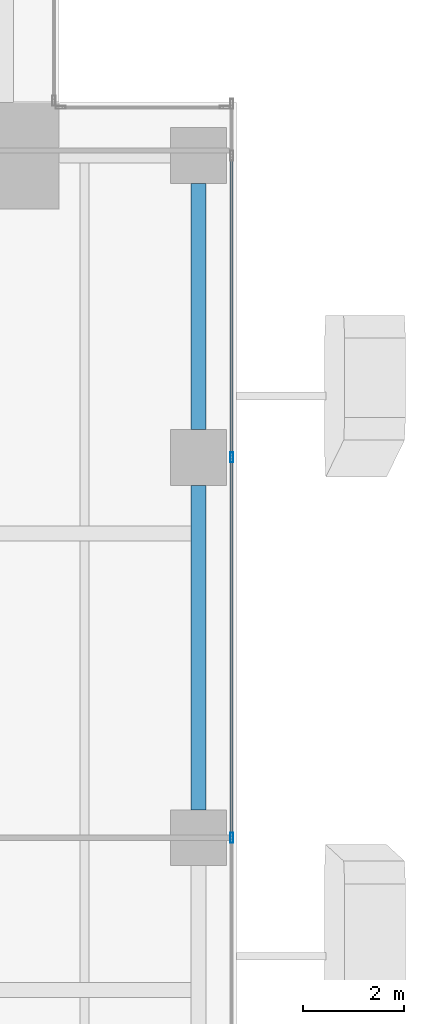
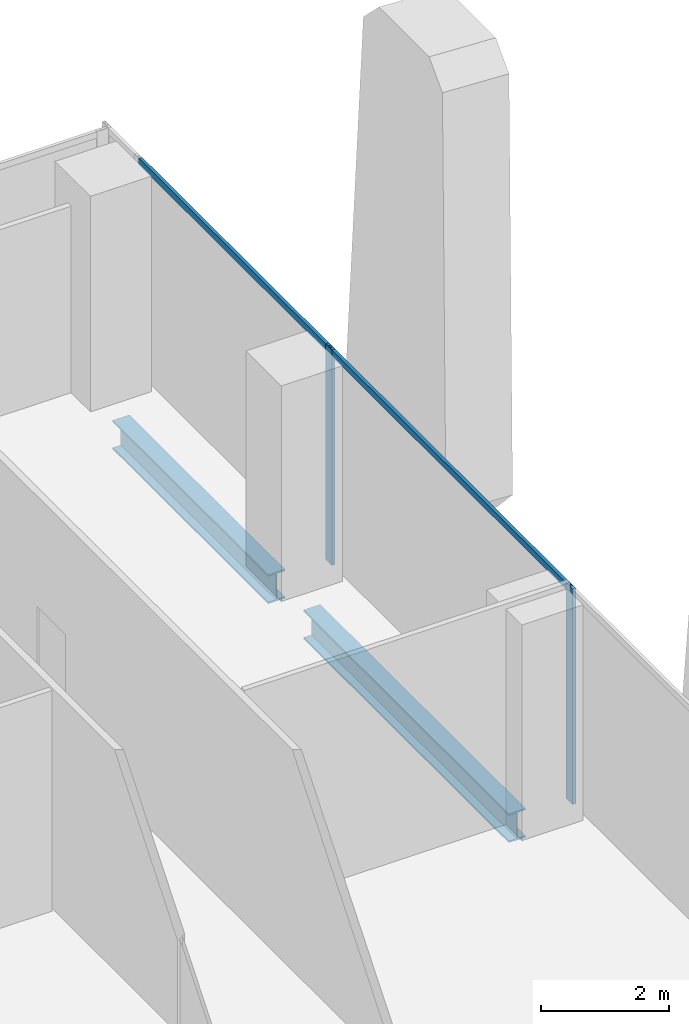
# One storey, part 19 of 35: 4 members, 2 beams, 1 element without a shape of its own.
"""IFC4 building model written with IfcOpenShell, lengths in metres."""

from ifc_helpers import new_model, si_unit, direction, frame, origin, origin_2d, place, context, subcontext, project, spatial, hollow_rectangle, i_section, extrude, source, transform, mapped, material, material_profile, profile_set, type_object, element, aggregate, save


model = new_model("IFC4")

# Units and contexts
model_context = context("Model", 3, precision=1e-05, world=origin(), true_north=direction((0.0, 1.0)))
body_context = subcontext(model_context, "Body", "Model", "MODEL_VIEW")
ifc_project = project(units=[si_unit("LENGTHUNIT", "METRE"), si_unit("AREAUNIT", "SQUARE_METRE"), si_unit("VOLUMEUNIT", "CUBIC_METRE"), si_unit("PLANEANGLEUNIT", "RADIAN"), si_unit("MASSUNIT", "GRAM", prefix="KILO")], contexts=[model_context])

# Site, building, storey
site_placement = place(None, origin())
site = spatial("IfcSite", under=ifc_project, at=site_placement, CompositionType="ELEMENT")
building_placement = place(site_placement, origin())
building = spatial("IfcBuilding", under=site, at=building_placement, Name="Khomas Fold Tower", CompositionType="ELEMENT")
storey_placement = place(building_placement, frame((0.0, 0.0, 119.10009765625)))
storey = spatial("IfcBuildingStorey", under=building, at=storey_placement, Name="L25", CompositionType="ELEMENT", Elevation=119.10009765625)

# Beams
ifc_material_1 = material(Name="Steel S355", Category="steel")
ifc_material_profile_1 = material_profile(ifc_material_1, i_section(OverallWidth=0.300048828125, OverallDepth=0.550048828125, WebThickness=0.014892578125, FlangeThickness=0.029052734375, at=origin_2d()), Name="HE 550 B")
ifc_profile_set_1 = profile_set([ifc_material_profile_1], Name="Steel S355")
beam_type = type_object("IfcBeamType", Name="HE 550 B spandrel SB2", PredefinedType="SPANDREL", material=ifc_profile_set_1)
shared_shape_1 = source(origin(), body_context, "Body", "SweptSolid", [
    extrude(i_section(OverallWidth=0.300048828125, OverallDepth=0.550048828125, WebThickness=0.014892578125, FlangeThickness=0.029052734375, at=origin_2d()), origin(), (0.0, 0.0, 1.0), 4.849853515625),
])
beam_1_placement = place(storey_placement, frame((51.75, 42.550048828125, -0.5751953125), z_axis=(0.0, 1.0, 0.0), x_axis=(-1.0, 0.0, 0.0)))
element("IfcBeam", 1, at=beam_1_placement, inside=storey, type_object=beam_type, Name="SB2", PredefinedType="SPANDREL", context=body_context, shape_type="MappedRepresentation", body=[
    mapped(shared_shape_1, transform((0.0, 0.0, 0.0))),
])
shared_shape_2 = source(origin(), body_context, "Body", "SweptSolid", [
    extrude(i_section(OverallWidth=0.300048828125, OverallDepth=0.550048828125, WebThickness=0.014892578125, FlangeThickness=0.029052734375, at=origin_2d()), origin(), (0.0, 0.0, 1.0), 6.39990234375),
])
beam_2_placement = place(storey_placement, frame((51.75, 35.050048828125, -0.5751953125), z_axis=(0.0, 1.0, 0.0), x_axis=(-1.0, 0.0, 0.0)))
element("IfcBeam", 2, at=beam_2_placement, inside=storey, type_object=beam_type, Name="SB2", PredefinedType="SPANDREL", context=body_context, shape_type="MappedRepresentation", body=[
    mapped(shared_shape_2, transform((0.0, 0.0, 0.0))),
])

# Curtain wall, members
ifc_material_2 = material(Name="Aluminium framed double glazing", Category="aluminium")
curtain_wall_type = type_object("IfcCurtainWallType", Name="SK-Unitised clear-glass wall, growing floors CW1", PredefinedType="NOTDEFINED", material=ifc_material_2)
curtain_wall_placement = place(storey_placement, origin())
curtain_wall = element("IfcCurtainWall", 3, at=curtain_wall_placement, inside=storey, type_object=curtain_wall_type, Name="CW1 run L25 03-0", PredefinedType="NOTDEFINED")
ifc_material_3 = material(Name="Aluminium", Category="aluminium")
ifc_material_profile_2 = material_profile(ifc_material_3, hollow_rectangle(XDim=0.06005859375, YDim=0.1201171875, WallThickness=0.00390625, at=origin_2d()), Name="SK-Unitised clear-glass wall, growing floors transom CW1-T")
ifc_profile_set_2 = profile_set([ifc_material_profile_2], Name="Aluminium")
member_type_1 = type_object("IfcMemberType", Name="SK-Unitised clear-glass wall, growing floors transom CW1-T", PredefinedType="USERDEFINED", material=ifc_profile_set_2)
shared_shape_3 = source(origin(), body_context, "Body", "SweptSolid", [
    extrude(hollow_rectangle(XDim=0.06005859375, YDim=0.1201171875, WallThickness=0.00390625, at=origin_2d()), origin(), (0.0, 0.0, 1.0), 7.43994140625),
])
member_1_placement = place(storey_placement, frame((52.39990234375, 34.530029296875, 4.039794921875), z_axis=(0.0, 1.0, 0.0), x_axis=(-1.0, 0.0, 0.0)))
member_1 = element("IfcMember", 4, at=member_1_placement, type_object=member_type_1, Name="CW1 transom 6", ObjectType="TRANSOM", PredefinedType="USERDEFINED", context=body_context, shape_type="MappedRepresentation", body=[
    mapped(shared_shape_3, transform((0.0, 0.0, 0.0))),
])
shared_shape_4 = source(origin(), body_context, "Body", "SweptSolid", [
    extrude(hollow_rectangle(XDim=0.06005859375, YDim=0.1201171875, WallThickness=0.00390625, at=origin_2d()), origin(), (0.0, 0.0, 1.0), 5.889892578125),
])
member_2_placement = place(storey_placement, frame((52.39990234375, 42.030029296875, 4.039794921875), z_axis=(0.0, 1.0, 0.0), x_axis=(-1.0, 0.0, 0.0)))
member_2 = element("IfcMember", 5, at=member_2_placement, type_object=member_type_1, Name="CW1 transom 7", ObjectType="TRANSOM", PredefinedType="USERDEFINED", context=body_context, shape_type="MappedRepresentation", body=[
    mapped(shared_shape_4, transform((0.0, 0.0, 0.0))),
])
ifc_material_4 = material(Name="Aluminium", Category="aluminium")
ifc_material_profile_3 = material_profile(ifc_material_4, hollow_rectangle(XDim=0.06005859375, YDim=0.199951171875, WallThickness=0.00390625, at=origin_2d()), Name="SK-Unitised clear-glass wall, growing floors mullion CW1-M")
ifc_profile_set_3 = profile_set([ifc_material_profile_3], Name="Aluminium")
member_type_2 = type_object("IfcMemberType", Name="SK-Unitised clear-glass wall, growing floors mullion CW1-M", PredefinedType="MULLION", material=ifc_profile_set_3)
shared_shape_5 = source(origin(), body_context, "Body", "SweptSolid", [
    extrude(hollow_rectangle(XDim=0.06005859375, YDim=0.199951171875, WallThickness=0.00390625, at=origin_2d()), origin(), (0.0, 0.0, 1.0), 4.099853515625),
])
member_3_placement = place(storey_placement, frame((52.39990234375, 34.5, 0.0), z_axis=(0.0, 0.0, 1.0), x_axis=(-1.0, 0.0, 0.0)))
member_3 = element("IfcMember", 6, at=member_3_placement, type_object=member_type_2, Name="CW1 mullion 6", PredefinedType="MULLION", context=body_context, shape_type="MappedRepresentation", body=[
    mapped(shared_shape_5, transform((0.0, 0.0, 0.0))),
])
member_4_placement = place(storey_placement, frame((52.39990234375, 42.0, 0.0), z_axis=(0.0, 0.0, 1.0), x_axis=(-1.0, 0.0, 0.0)))
member_4 = element("IfcMember", 7, at=member_4_placement, type_object=member_type_2, Name="CW1 mullion 7", PredefinedType="MULLION", context=body_context, shape_type="MappedRepresentation", body=[
    mapped(shared_shape_5, transform((0.0, 0.0, 0.0))),
])
aggregate(curtain_wall, [member_3, member_4, member_1, member_2])

save(model, "model.ifc")
